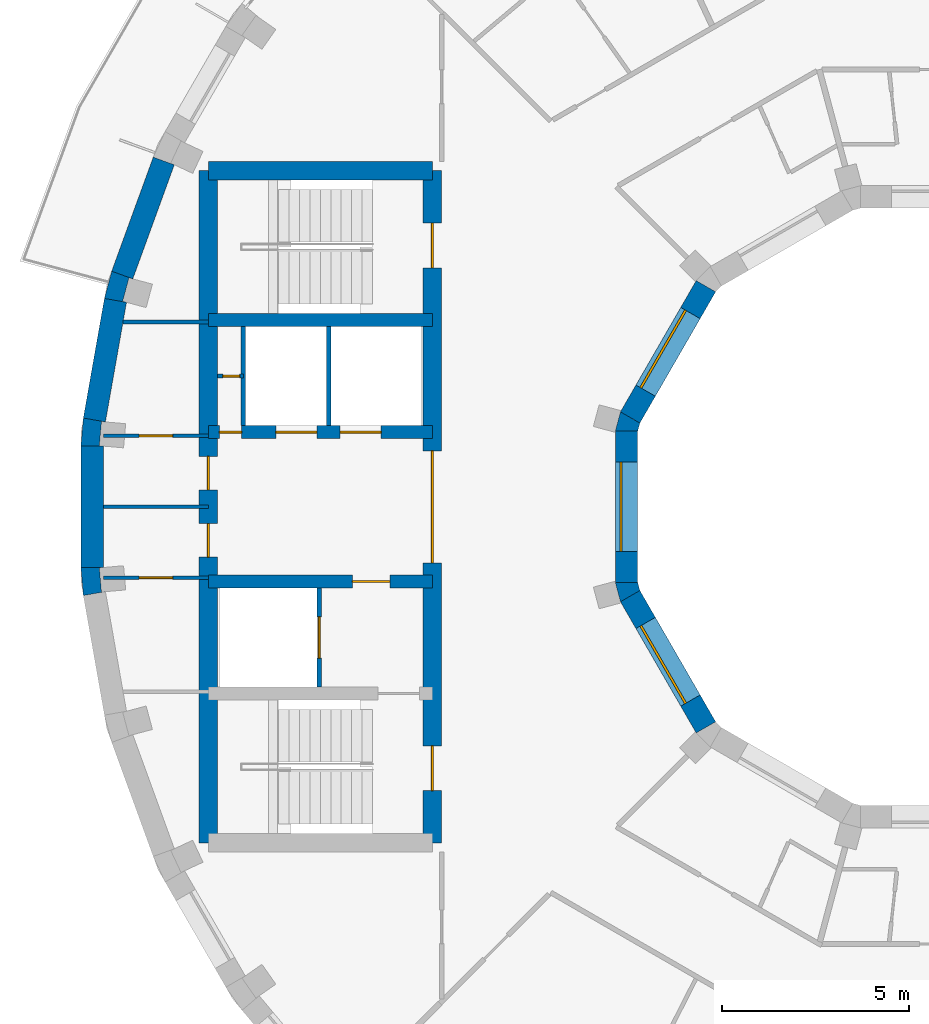
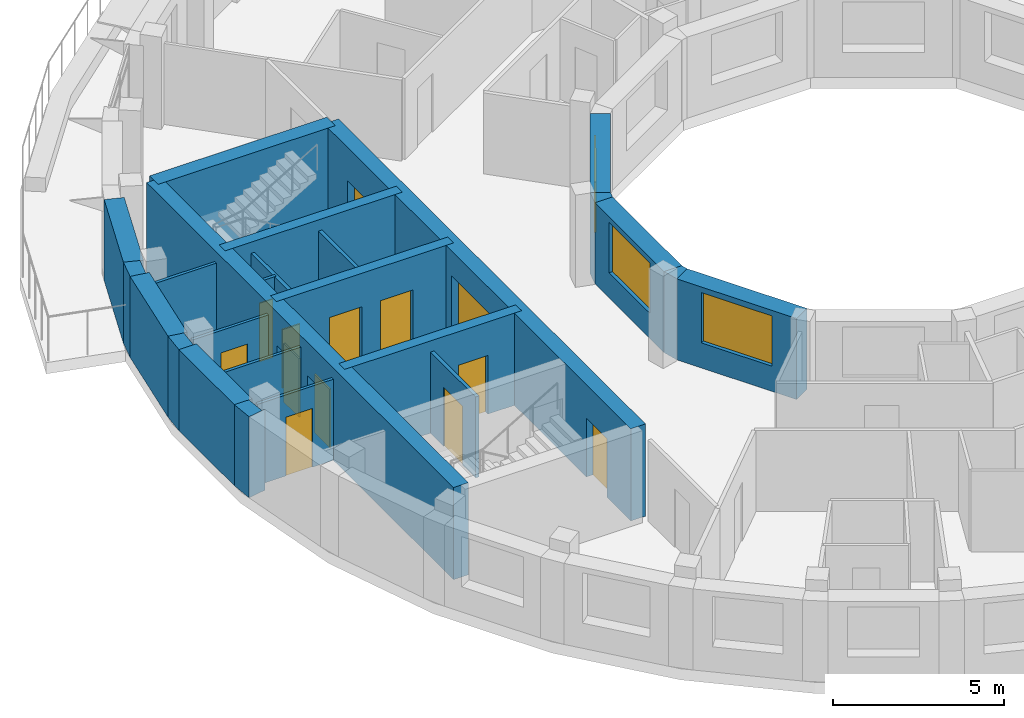
# One storey, part 6 of 12: 25 walls, 13 doors, 3 windows, 16 openings.
"""IFC4 building model written with IfcOpenShell, lengths in metres."""

from ifc_helpers import new_model, si_unit, direction, frame, frame_2d, origin, place, context, subcontext, project, spatial, polyline, rectangle, outline, extrude, material, layer, layer_set, type_object, element, fill, save


model = new_model("IFC4")

# Units and contexts
model_context = context("Model", 3, precision=1e-05, world=origin(), true_north=direction((0.0, 1.0)))
body_context = subcontext(model_context, "Body", "Model", "MODEL_VIEW")
ifc_project = project(units=[si_unit("LENGTHUNIT", "METRE"), si_unit("AREAUNIT", "SQUARE_METRE"), si_unit("VOLUMEUNIT", "CUBIC_METRE"), si_unit("PLANEANGLEUNIT", "RADIAN"), si_unit("MASSUNIT", "GRAM", prefix="KILO")], contexts=[model_context])

# Site, building, storey
site_placement = place(None, origin())
site = spatial("IfcSite", under=ifc_project, at=site_placement, CompositionType="ELEMENT")
building_placement = place(site_placement, origin())
building = spatial("IfcBuilding", under=site, at=building_placement, Name="Saqina Gate Tower", CompositionType="ELEMENT")
storey_placement = place(building_placement, frame((0.0, 0.0, 233.0)))
storey = spatial("IfcBuildingStorey", under=building, at=storey_placement, Name="L66", CompositionType="ELEMENT", Elevation=233.0)

# Walls
ifc_material_1 = material(Name="Brick masonry (buff)", Category="masonry")
wall_type_1 = type_object("IfcWallType", Name="BRICK PIER COPING BUFF", PredefinedType="SOLIDWALL", material=ifc_material_1)
wall_1_placement = place(storey_placement, origin())
element("IfcWall", 1, at=wall_1_placement, inside=storey, type_object=wall_type_1, Name="Pier cap L66 column 17", PredefinedType="SOLIDWALL", context=body_context, shape_type="SweptSolid", body=[
    extrude(outline(polyline([(-22.281982421875, 5.579833984375), (-21.691162109375, 5.4755859375), (-21.793212890625, 5.5029296875), (-21.625, 6.130859375), (-21.52294921875, 6.103515625), (-22.0869140625, 6.30859375), (-22.281982421875, 5.579833984375)])), origin(), (0.0, 0.0, 1.0), 2.89990234375),
])
wall_2_placement = place(storey_placement, origin())
element("IfcWall", 2, at=wall_2_placement, inside=storey, type_object=wall_type_1, Name="Pier cap L66 column 18", PredefinedType="SOLIDWALL", context=body_context, shape_type="SweptSolid", body=[
    extrude(outline(polyline([(-22.8466796875, 2.377685546875), (-22.91259765625, 1.625732421875), (-22.3125, 1.625732421875), (-22.417724609375, 1.635009765625), (-22.361083984375, 2.28271484375), (-22.255859375, 2.2734375), (-22.8466796875, 2.377685546875)])), origin(), (0.0, 0.0, 1.0), 2.89990234375),
])
wall_3_placement = place(storey_placement, origin())
element("IfcWall", 3, at=wall_3_placement, inside=storey, type_object=wall_type_1, Name="Pier cap L66 column 19", PredefinedType="SOLIDWALL", context=body_context, shape_type="SweptSolid", body=[
    extrude(outline(polyline([(-22.91259765625, -1.625732421875), (-22.8466796875, -2.377685546875), (-22.255859375, -2.2734375), (-22.361083984375, -2.28271484375), (-22.417724609375, -1.635009765625), (-22.3125, -1.625732421875), (-22.91259765625, -1.625732421875)])), origin(), (0.0, 0.0, 1.0), 2.89990234375),
])

# Wall, opening, door
ifc_material_2 = material(Name="Gypsum board on steel studs", Category="steel")
ifc_layer_1 = layer(ifc_material_2, 0.10009765625)
ifc_layer_set_1 = layer_set([ifc_layer_1], Name="CORE PARTITION")
wall_type_2 = type_object("IfcWallType", Name="CORE PARTITION", PredefinedType="PARTITIONING", material=ifc_layer_set_1)
wall_4_placement = place(storey_placement, frame((-18.56005859375, 3.5, 0.0), z_axis=(0.0, 0.0, 1.0), x_axis=(-1.0, 0.0, 0.0)))
wall_4 = element("IfcWall", 4, at=wall_4_placement, inside=storey, type_object=wall_type_2, Name="L66-CP-W01", PredefinedType="PARTITIONING", context=body_context, shape_type="SweptSolid", body=[
    extrude(rectangle(XDim=0.68994140625, YDim=0.10009765625, at=frame_2d((0.344970703125, 0.0))), origin(), (0.0, 0.0, 1.0), 2.89990234375),
])
opening_1_placement = place(wall_4_placement, frame((0.10009765625, 0.0, 0.0)))
opening_1 = element("IfcOpeningElement", 5, at=opening_1_placement, cuts=wall_4, Name="Opening G19-D107", PredefinedType="OPENING", context=body_context, shape_type="SweptSolid", body=[
    extrude(rectangle(XDim=0.449951171875, YDim=2.10009765625, at=frame_2d((0.22509765625, 1.050048828125))), frame((0.0, 0.06201171875, 0.0), z_axis=(0.0, -1.0, 0.0), x_axis=(1.0, 0.0, 0.0)), (0.0, 0.0, 1.0), 0.1240234375),
])
ifc_material_3 = material(Name="Steel-framed fire door leaf, EI 60", Category="steel")
door_type_1 = type_object("IfcDoorType", Name="SERVICE ROOM DOOR 450", OperationType="SINGLE_SWING_LEFT", PredefinedType="DOOR", material=ifc_material_3)
door_1_placement = place(opening_1_placement, origin())
door_1 = element("IfcDoor", 6, at=door_1_placement, inside=storey, type_object=door_type_1, Name="L66-CD-W18", OperationType="SINGLE_SWING_RIGHT", OverallHeight=2.10009765625, OverallWidth=0.449951171875, PredefinedType="DOOR", context=body_context, shape_type="SweptSolid", body=[
    extrude(rectangle(XDim=0.449951171875, YDim=2.10009765625, at=frame_2d((0.22509765625, 1.050048828125))), frame((0.0, 0.02490234375, 0.0), z_axis=(0.0, -1.0, 0.0), x_axis=(1.0, 0.0, 0.0)), (0.0, 0.0, 1.0), 0.050048828125),
])
fill(opening_1, door_1)

# Wall
wall_5_placement = place(storey_placement, frame((-19.5, 4.949951171875, 0.0), z_axis=(0.0, 0.0, 1.0), x_axis=(-1.0, 0.0, 0.0)))
element("IfcWall", 7, at=wall_5_placement, inside=storey, type_object=wall_type_2, Name="L66-CP-W02", PredefinedType="PARTITIONING", context=body_context, shape_type="SweptSolid", body=[
    extrude(rectangle(XDim=2.283935546875, YDim=0.10009765625, at=frame_2d((1.14208984375, 0.0))), origin(), (0.0, 0.0, 1.0), 2.89990234375),
])

# Wall, opening, door
wall_6_placement = place(storey_placement, frame((-19.5, 1.89990234375, 0.0), z_axis=(0.0, 0.0, 1.0), x_axis=(-1.0, 0.0, 0.0)))
wall_6 = element("IfcWall", 8, at=wall_6_placement, inside=storey, type_object=wall_type_2, Name="L66-CP-W03", PredefinedType="PARTITIONING", context=body_context, shape_type="SweptSolid", body=[
    extrude(rectangle(XDim=2.8125, YDim=0.10009765625, at=frame_2d((1.40625, 0.0))), origin(), (0.0, 0.0, 1.0), 2.89990234375),
])
opening_2_placement = place(wall_6_placement, frame((0.956298828125, 0.0, 0.0)))
opening_2 = element("IfcOpeningElement", 9, at=opening_2_placement, cuts=wall_6, Name="Opening G19-D103", PredefinedType="OPENING", context=body_context, shape_type="SweptSolid", body=[
    extrude(rectangle(XDim=0.89990234375, YDim=2.10009765625, at=frame_2d((0.449951171875, 1.050048828125))), frame((0.0, 0.06201171875, 0.0), z_axis=(0.0, -1.0, 0.0), x_axis=(1.0, 0.0, 0.0)), (0.0, 0.0, 1.0), 0.1240234375),
])
ifc_material_4 = material(Name="Steel-framed fire door leaf, EI 60", Category="steel")
door_type_2 = type_object("IfcDoorType", Name="SERVICE ROOM DOOR 900", OperationType="SINGLE_SWING_LEFT", PredefinedType="DOOR", material=ifc_material_4)
door_2_placement = place(opening_2_placement, frame((0.89990234375, 0.0, 0.0), z_axis=(0.0, 0.0, 1.0), x_axis=(-1.0, 0.0, 0.0)))
door_2 = element("IfcDoor", 10, at=door_2_placement, inside=storey, type_object=door_type_2, Name="L66-CD-W14", OperationType="SINGLE_SWING_LEFT", OverallHeight=2.10009765625, OverallWidth=0.89990234375, PredefinedType="DOOR", context=body_context, shape_type="SweptSolid", body=[
    extrude(rectangle(XDim=0.89990234375, YDim=2.10009765625, at=frame_2d((0.449951171875, 1.050048828125))), frame((0.0, 0.02490234375, 0.0), z_axis=(0.0, -1.0, 0.0), x_axis=(1.0, 0.0, 0.0)), (0.0, 0.0, 1.0), 0.050048828125),
])
fill(opening_2, door_2)

wall_7_placement = place(storey_placement, frame((-19.5, -1.89990234375, 0.0), z_axis=(0.0, 0.0, 1.0), x_axis=(-1.0, 0.0, 0.0)))
wall_7 = element("IfcWall", 11, at=wall_7_placement, inside=storey, type_object=wall_type_2, Name="L66-CP-W05", PredefinedType="PARTITIONING", context=body_context, shape_type="SweptSolid", body=[
    extrude(rectangle(XDim=2.8125, YDim=0.10009765625, at=frame_2d((1.40625, 0.0))), origin(), (0.0, 0.0, 1.0), 2.89990234375),
])
opening_3_placement = place(wall_7_placement, frame((0.956298828125, 0.0, 0.0)))
opening_3 = element("IfcOpeningElement", 12, at=opening_3_placement, cuts=wall_7, Name="Opening G19-D105", PredefinedType="OPENING", context=body_context, shape_type="SweptSolid", body=[
    extrude(rectangle(XDim=0.89990234375, YDim=2.10009765625, at=frame_2d((0.449951171875, 1.050048828125))), frame((0.0, 0.06201171875, 0.0), z_axis=(0.0, -1.0, 0.0), x_axis=(1.0, 0.0, 0.0)), (0.0, 0.0, 1.0), 0.1240234375),
])
door_3_placement = place(opening_3_placement, origin())
door_3 = element("IfcDoor", 13, at=door_3_placement, inside=storey, type_object=door_type_2, Name="L66-CD-W16", OperationType="SINGLE_SWING_RIGHT", OverallHeight=2.10009765625, OverallWidth=0.89990234375, PredefinedType="DOOR", context=body_context, shape_type="SweptSolid", body=[
    extrude(rectangle(XDim=0.89990234375, YDim=2.10009765625, at=frame_2d((0.449951171875, 1.050048828125))), frame((0.0, 0.02490234375, 0.0), z_axis=(0.0, -1.0, 0.0), x_axis=(1.0, 0.0, 0.0)), (0.0, 0.0, 1.0), 0.050048828125),
])
fill(opening_3, door_3)

# Walls
wall_8_placement = place(storey_placement, frame((-19.5, 0.0, 0.0), z_axis=(0.0, 0.0, 1.0), x_axis=(-1.0, 0.0, 0.0)))
element("IfcWall", 14, at=wall_8_placement, inside=storey, type_object=wall_type_2, Name="L66-CP-W06", PredefinedType="PARTITIONING", context=body_context, shape_type="SweptSolid", body=[
    extrude(rectangle(XDim=2.8125, YDim=0.10009765625, at=frame_2d((1.40625, 0.0))), origin(), (0.0, 0.0, 1.0), 2.89990234375),
])
ifc_material_5 = material(Name="Glazed ceramic tile", Category="ceramic")
ifc_layer_2 = layer(ifc_material_5, 0.60009765625)
ifc_layer_set_2 = layer_set([ifc_layer_2], Name="FW-TILE")
wall_type_3 = type_object("IfcWallType", Name="FW-TILE", PredefinedType="SOLIDWALL", material=ifc_layer_set_2)
wall_9_placement = place(storey_placement, frame((-21.986572265625, 5.52783203125, 0.0), z_axis=(0.0, 0.0, 1.0), x_axis=(-0.173656842178, -0.984806225186, 0.0)))
element("IfcWall", 15, at=wall_9_placement, inside=storey, type_object=wall_type_3, Name="Facade wall L66 facet 17", PredefinedType="SOLIDWALL", context=body_context, shape_type="SweptSolid", body=[
    extrude(rectangle(XDim=3.251708984375, YDim=0.60009765625, at=frame_2d((1.6259765625, 0.0))), origin(), (0.0, 0.0, 1.0), 2.89990234375),
])
ifc_material_6 = material(Name="Glazed ceramic tile (dark blue)", Category="ceramic")
ifc_layer_3 = layer(ifc_material_6, 0.60009765625)
ifc_layer_set_3 = layer_set([ifc_layer_3], Name="FW-TILE-CB")
wall_type_4 = type_object("IfcWallType", Name="FW-TILE-CB", PredefinedType="SOLIDWALL", material=ifc_layer_set_3)
wall_10_placement = place(storey_placement, frame((-20.692626953125, 9.26171875, 0.0), z_axis=(0.0, 0.0, 1.0), x_axis=(-0.342056509473, -0.939679383794, 0.0)))
element("IfcWall", 16, at=wall_10_placement, inside=storey, type_object=wall_type_4, Name="Facade wall L66 facet 16", PredefinedType="SOLIDWALL", context=body_context, shape_type="SweptSolid", body=[
    extrude(rectangle(XDim=3.251708984375, YDim=0.60009765625, at=frame_2d((1.6259765625, 0.0))), origin(), (0.0, 0.0, 1.0), 2.89990234375),
])
ifc_material_7 = material(Name="Glazed ceramic tile (white)", Category="ceramic")
ifc_layer_4 = layer(ifc_material_7, 0.60009765625)
ifc_layer_set_4 = layer_set([ifc_layer_4], Name="FW-TILE-WH")
wall_type_5 = type_object("IfcWallType", Name="FW-TILE-WH", PredefinedType="SOLIDWALL", material=ifc_layer_set_4)
wall_11_placement = place(storey_placement, frame((-22.612548828125, 1.625732421875, 0.0), z_axis=(0.0, 0.0, 1.0), x_axis=(0.0, -1.0, 0.0)))
element("IfcWall", 17, at=wall_11_placement, inside=storey, type_object=wall_type_5, Name="Facade wall L66 facet 18", PredefinedType="SOLIDWALL", context=body_context, shape_type="SweptSolid", body=[
    extrude(rectangle(XDim=3.25146484375, YDim=0.60009765625, at=frame_2d((1.625732421875, 0.0))), origin(), (0.0, 0.0, 1.0), 2.89990234375),
])

# Wall, opening, window
ifc_material_8 = material(Name="Glazed ceramic tile", Category="ceramic")
ifc_layer_5 = layer(ifc_material_8, 0.60009765625)
ifc_layer_set_5 = layer_set([ifc_layer_5], Name="IW-TILE")
wall_type_6 = type_object("IfcWallType", Name="IW-TILE", PredefinedType="SOLIDWALL", material=ifc_layer_set_5)
wall_12_placement = place(storey_placement, frame((-6.17333984375, 5.907470703125, 0.0), z_axis=(0.0, 0.0, 1.0), x_axis=(-0.499994954979, -0.866028316509, 0.0)))
wall_12 = element("IfcWall", 18, at=wall_12_placement, inside=storey, type_object=wall_type_6, Name="Well wall L66 facet 5", PredefinedType="SOLIDWALL", context=body_context, shape_type="SweptSolid", body=[
    extrude(rectangle(XDim=4.05859375, YDim=0.60009765625, at=frame_2d((2.029296875, 0.0))), origin(), (0.0, 0.0, 1.0), 2.89990234375),
])
opening_4_placement = place(wall_12_placement, frame((0.829345703125, 0.0, 0.89990234375)))
opening_4 = element("IfcOpeningElement", 19, at=opening_4_placement, cuts=wall_12, Name="Opening G19-W27", PredefinedType="OPENING", context=body_context, shape_type="SweptSolid", body=[
    extrude(rectangle(XDim=2.39990234375, YDim=1.800048828125, at=frame_2d((1.199951171875, 0.89990234375))), frame((0.0, 0.31201171875, 0.0), z_axis=(0.0, -1.0, 0.0), x_axis=(1.0, 0.0, 0.0)), (0.0, 0.0, 1.0), 0.6240234375),
])
ifc_material_9 = material(Name="Aluminium glazing", Category="aluminium")
window_type = type_object("IfcWindowType", Name="WN-W", PartitioningType="SINGLE_PANEL", PredefinedType="WINDOW", material=ifc_material_9)
window_1_placement = place(opening_4_placement, origin())
window_1 = element("IfcWindow", 20, at=window_1_placement, inside=storey, type_object=window_type, Name="Well window L66 facet 5", OverallHeight=1.800048828125, OverallWidth=2.39990234375, PartitioningType="SINGLE_PANEL", PredefinedType="WINDOW", context=body_context, shape_type="SweptSolid", body=[
    extrude(rectangle(XDim=2.39990234375, YDim=1.800048828125, at=frame_2d((1.199951171875, 0.89990234375))), frame((0.0, -0.119873046875, 0.0), z_axis=(0.0, -1.0, 0.0), x_axis=(1.0, 0.0, 0.0)), (0.0, 0.0, 1.0), 0.06005859375),
])
fill(opening_4, window_1)

wall_13_placement = place(storey_placement, frame((-8.300048828125, 2.029296875, 0.0), z_axis=(0.0, 0.0, 1.0), x_axis=(0.0, -1.0, 0.0)))
wall_13 = element("IfcWall", 21, at=wall_13_placement, inside=storey, type_object=wall_type_6, Name="Well wall L66 facet 6", PredefinedType="SOLIDWALL", context=body_context, shape_type="SweptSolid", body=[
    extrude(rectangle(XDim=4.05859375, YDim=0.60009765625, at=frame_2d((2.029296875, 0.0))), origin(), (0.0, 0.0, 1.0), 2.89990234375),
])
opening_5_placement = place(wall_13_placement, frame((0.829345703125, 0.0, 0.89990234375)))
opening_5 = element("IfcOpeningElement", 22, at=opening_5_placement, cuts=wall_13, Name="Opening G19-W28", PredefinedType="OPENING", context=body_context, shape_type="SweptSolid", body=[
    extrude(rectangle(XDim=2.39990234375, YDim=1.800048828125, at=frame_2d((1.199951171875, 0.89990234375))), frame((0.0, 0.31201171875, 0.0), z_axis=(0.0, -1.0, 0.0), x_axis=(1.0, 0.0, 0.0)), (0.0, 0.0, 1.0), 0.6240234375),
])
window_2_placement = place(opening_5_placement, origin())
window_2 = element("IfcWindow", 23, at=window_2_placement, inside=storey, type_object=window_type, Name="Well window L66 facet 6", OverallHeight=1.800048828125, OverallWidth=2.39990234375, PartitioningType="SINGLE_PANEL", PredefinedType="WINDOW", context=body_context, shape_type="SweptSolid", body=[
    extrude(rectangle(XDim=2.39990234375, YDim=1.800048828125, at=frame_2d((1.199951171875, 0.89990234375))), frame((0.0, -0.119873046875, 0.0), z_axis=(0.0, -1.0, 0.0), x_axis=(1.0, 0.0, 0.0)), (0.0, 0.0, 1.0), 0.06005859375),
])
fill(opening_5, window_2)

wall_14_placement = place(storey_placement, frame((-8.20263671875, -2.392578125, 0.0), z_axis=(0.0, 0.0, 1.0), x_axis=(0.499994954979, -0.866028316509, 0.0)))
wall_14 = element("IfcWall", 24, at=wall_14_placement, inside=storey, type_object=wall_type_6, Name="Well wall L66 facet 7", PredefinedType="SOLIDWALL", context=body_context, shape_type="SweptSolid", body=[
    extrude(rectangle(XDim=4.05859375, YDim=0.60009765625, at=frame_2d((2.029296875, 0.0))), origin(), (0.0, 0.0, 1.0), 2.89990234375),
])
opening_6_placement = place(wall_14_placement, frame((0.829345703125, 0.0, 0.89990234375)))
opening_6 = element("IfcOpeningElement", 25, at=opening_6_placement, cuts=wall_14, Name="Opening G19-W29", PredefinedType="OPENING", context=body_context, shape_type="SweptSolid", body=[
    extrude(rectangle(XDim=2.39990234375, YDim=1.800048828125, at=frame_2d((1.199951171875, 0.89990234375))), frame((0.0, 0.31201171875, 0.0), z_axis=(0.0, -1.0, 0.0), x_axis=(1.0, 0.0, 0.0)), (0.0, 0.0, 1.0), 0.6240234375),
])
window_3_placement = place(opening_6_placement, origin())
window_3 = element("IfcWindow", 26, at=window_3_placement, inside=storey, type_object=window_type, Name="Well window L66 facet 7", OverallHeight=1.800048828125, OverallWidth=2.39990234375, PartitioningType="SINGLE_PANEL", PredefinedType="WINDOW", context=body_context, shape_type="SweptSolid", body=[
    extrude(rectangle(XDim=2.39990234375, YDim=1.800048828125, at=frame_2d((1.199951171875, 0.89990234375))), frame((0.0, -0.119873046875, 0.0), z_axis=(0.0, -1.0, 0.0), x_axis=(1.0, 0.0, 0.0)), (0.0, 0.0, 1.0), 0.06005859375),
])
fill(opening_6, window_3)

# Walls
ifc_material_10 = material(Name="Autoclaved aerated concrete block", Category="concrete")
ifc_layer_6 = layer(ifc_material_10, 0.1201171875)
ifc_layer_set_6 = layer_set([ifc_layer_6], Name="SHAFT PARTITION")
wall_type_7 = type_object("IfcWallType", Name="SHAFT PARTITION", PredefinedType="PARTITIONING", material=ifc_layer_set_6)
for number, where, z_axis, x_axis, name in (
    (27, (-16.280029296875, 2.175048828125, 0.0), (0.0, 0.0, 1.0), (0.0, 1.0, 0.0), "L66-CP-W07"),
    (28, (-18.56005859375, 2.175048828125, 0.0), (0.0, 0.0, 1.0), (0.0, 1.0, 0.0), "L66-CP-W08"),
):
    element("IfcWall", number, at=place(storey_placement, frame(where, z_axis=z_axis, x_axis=x_axis)), inside=storey, type_object=wall_type_7, Name=name, PredefinedType="PARTITIONING", context=body_context, shape_type="SweptSolid", body=[
        extrude(rectangle(XDim=2.64990234375, YDim=0.1201171875, at=frame_2d((1.324951171875, 0.0))), origin(), (0.0, 0.0, 1.0), 2.89990234375),
    ])

# Wall, opening, door
wall_15_placement = place(storey_placement, frame((-16.530029296875, -4.824951171875, 0.0), z_axis=(0.0, 0.0, 1.0), x_axis=(0.0, 1.0, 0.0)))
wall_15 = element("IfcWall", 29, at=wall_15_placement, inside=storey, type_object=wall_type_7, Name="L66-CP-W09", PredefinedType="PARTITIONING", context=body_context, shape_type="SweptSolid", body=[
    extrude(rectangle(XDim=2.64990234375, YDim=0.1201171875, at=frame_2d((1.324951171875, 0.0))), origin(), (0.0, 0.0, 1.0), 2.89990234375),
])
opening_7_placement = place(wall_15_placement, frame((0.77490234375, 0.0, 0.0)))
opening_7 = element("IfcOpeningElement", 30, at=opening_7_placement, cuts=wall_15, Name="Opening G19-LD6", PredefinedType="OPENING", context=body_context, shape_type="SweptSolid", body=[
    extrude(rectangle(XDim=1.10009765625, YDim=2.10009765625, at=frame_2d((0.550048828125, 1.050048828125))), frame((0.0, 0.072021484375, 0.0), z_axis=(0.0, -1.0, 0.0), x_axis=(1.0, 0.0, 0.0)), (0.0, 0.0, 1.0), 0.14404296875),
])
ifc_material_11 = material(Name="Stainless steel", Category="steel")
door_type_3 = type_object("IfcDoorType", Name="LANDING DOOR", OperationType="DOUBLE_DOOR_SLIDING", PredefinedType="DOOR", material=ifc_material_11)
door_4_placement = place(opening_7_placement, origin())
door_4 = element("IfcDoor", 31, at=door_4_placement, inside=storey, type_object=door_type_3, Name="LANDING DOOR FF2", OperationType="DOUBLE_DOOR_SLIDING", OverallHeight=2.10009765625, OverallWidth=1.10009765625, PredefinedType="DOOR", context=body_context, shape_type="SweptSolid", body=[
    extrude(rectangle(XDim=1.10009765625, YDim=2.10009765625, at=frame_2d((0.550048828125, 1.050048828125))), frame((0.0, 0.02490234375, 0.0), z_axis=(0.0, -1.0, 0.0), x_axis=(1.0, 0.0, 0.0)), (0.0, 0.0, 1.0), 0.050048828125),
])
fill(opening_7, door_4)

# Wall
ifc_material_12 = material(Name="Concrete C60/75", Category="concrete")
ifc_layer_7 = layer(ifc_material_12, 0.35009765625)
ifc_layer_set_7 = layer_set([ifc_layer_7], Name="Concrete C60/75")
wall_type_8 = type_object("IfcWallType", Name="STR-CORE WALL-D-I", PredefinedType="SHEAR", material=ifc_layer_set_7)
wall_16_placement = place(storey_placement, frame((-13.5, 5.0, 0.0), z_axis=(0.0, 0.0, 1.0), x_axis=(-1.0, 0.0, 0.0)))
element("IfcWall", 32, at=wall_16_placement, inside=storey, type_object=wall_type_8, Name="CORE WALL L66 W-X1", PredefinedType="SHEAR", context=body_context, shape_type="SweptSolid", body=[
    extrude(rectangle(XDim=6.0, YDim=0.35009765625, at=frame_2d((3.0, 0.0))), origin(), (0.0, 0.0, 1.0), 3.300048828125),
])

# Wall, openings, doors
wall_17_placement = place(storey_placement, frame((-13.5, 2.0, 0.0), z_axis=(0.0, 0.0, 1.0), x_axis=(-1.0, 0.0, 0.0)))
wall_17 = element("IfcWall", 33, at=wall_17_placement, inside=storey, type_object=wall_type_8, Name="CORE WALL L66 W-L1", PredefinedType="SHEAR", context=body_context, shape_type="SweptSolid", body=[
    extrude(rectangle(XDim=6.0, YDim=0.35009765625, at=frame_2d((3.0, 0.0))), origin(), (0.0, 0.0, 1.0), 3.300048828125),
])
opening_8_placement = place(wall_17_placement, frame((1.3701171875, 0.0, 0.0)))
opening_8 = element("IfcOpeningElement", 34, at=opening_8_placement, cuts=wall_17, Name="Opening G19-LD4", PredefinedType="OPENING", context=body_context, shape_type="SweptSolid", body=[
    extrude(rectangle(XDim=1.10009765625, YDim=2.10009765625, at=frame_2d((0.550048828125, 1.050048828125))), frame((0.0, 0.18701171875, 0.0), z_axis=(0.0, -1.0, 0.0), x_axis=(1.0, 0.0, 0.0)), (0.0, 0.0, 1.0), 0.3740234375),
])
opening_9_placement = place(wall_17_placement, frame((3.090087890625, 0.0, 0.0)))
opening_9 = element("IfcOpeningElement", 35, at=opening_9_placement, cuts=wall_17, Name="Opening G19-LD5", PredefinedType="OPENING", context=body_context, shape_type="SweptSolid", body=[
    extrude(rectangle(XDim=1.10009765625, YDim=2.10009765625, at=frame_2d((0.550048828125, 1.050048828125))), frame((0.0, 0.18701171875, 0.0), z_axis=(0.0, -1.0, 0.0), x_axis=(1.0, 0.0, 0.0)), (0.0, 0.0, 1.0), 0.3740234375),
])
opening_10_placement = place(wall_17_placement, frame((5.10498046875, 0.0, 0.0)))
opening_10 = element("IfcOpeningElement", 36, at=opening_10_placement, cuts=wall_17, Name="Opening G19-D101", PredefinedType="OPENING", context=body_context, shape_type="SweptSolid", body=[
    extrude(rectangle(XDim=0.60009765625, YDim=2.10009765625, at=frame_2d((0.300048828125, 1.050048828125))), frame((0.0, 0.18701171875, 0.0), z_axis=(0.0, -1.0, 0.0), x_axis=(1.0, 0.0, 0.0)), (0.0, 0.0, 1.0), 0.3740234375),
])
door_5_placement = place(opening_8_placement, origin())
door_5 = element("IfcDoor", 37, at=door_5_placement, inside=storey, type_object=door_type_3, Name="LANDING DOOR HR3", OperationType="DOUBLE_DOOR_SLIDING", OverallHeight=2.10009765625, OverallWidth=1.10009765625, PredefinedType="DOOR", context=body_context, shape_type="SweptSolid", body=[
    extrude(rectangle(XDim=1.10009765625, YDim=2.10009765625, at=frame_2d((0.550048828125, 1.050048828125))), frame((0.0, 0.02490234375, 0.0), z_axis=(0.0, -1.0, 0.0), x_axis=(1.0, 0.0, 0.0)), (0.0, 0.0, 1.0), 0.050048828125),
])
fill(opening_8, door_5)
door_6_placement = place(opening_9_placement, origin())
door_6 = element("IfcDoor", 38, at=door_6_placement, inside=storey, type_object=door_type_3, Name="LANDING DOOR HR4", OperationType="DOUBLE_DOOR_SLIDING", OverallHeight=2.10009765625, OverallWidth=1.10009765625, PredefinedType="DOOR", context=body_context, shape_type="SweptSolid", body=[
    extrude(rectangle(XDim=1.10009765625, YDim=2.10009765625, at=frame_2d((0.550048828125, 1.050048828125))), frame((0.0, 0.02490234375, 0.0), z_axis=(0.0, -1.0, 0.0), x_axis=(1.0, 0.0, 0.0)), (0.0, 0.0, 1.0), 0.050048828125),
])
fill(opening_9, door_6)
ifc_material_13 = material(Name="Steel-framed fire door leaf, EI 60", Category="steel")
door_type_4 = type_object("IfcDoorType", Name="SERVICE ROOM DOOR 600", OperationType="SINGLE_SWING_LEFT", PredefinedType="DOOR", material=ifc_material_13)
door_7_placement = place(opening_10_placement, frame((0.60009765625, 0.0, 0.0), z_axis=(0.0, 0.0, 1.0), x_axis=(-1.0, 0.0, 0.0)))
door_7 = element("IfcDoor", 39, at=door_7_placement, inside=storey, type_object=door_type_4, Name="L66-CD-W12", OperationType="SINGLE_SWING_LEFT", OverallHeight=2.10009765625, OverallWidth=0.60009765625, PredefinedType="DOOR", context=body_context, shape_type="SweptSolid", body=[
    extrude(rectangle(XDim=0.60009765625, YDim=2.10009765625, at=frame_2d((0.300048828125, 1.050048828125))), frame((0.0, 0.02490234375, 0.0), z_axis=(0.0, -1.0, 0.0), x_axis=(1.0, 0.0, 0.0)), (0.0, 0.0, 1.0), 0.050048828125),
])
fill(opening_10, door_7)

# Wall, opening, door
wall_18_placement = place(storey_placement, frame((-13.5, -2.0, 0.0), z_axis=(0.0, 0.0, 1.0), x_axis=(-1.0, 0.0, 0.0)))
wall_18 = element("IfcWall", 40, at=wall_18_placement, inside=storey, type_object=wall_type_8, Name="CORE WALL L66 W-L2", PredefinedType="SHEAR", context=body_context, shape_type="SweptSolid", body=[
    extrude(rectangle(XDim=6.0, YDim=0.35009765625, at=frame_2d((3.0, 0.0))), origin(), (0.0, 0.0, 1.0), 3.300048828125),
])
opening_11_placement = place(wall_18_placement, frame((1.139892578125, 0.0, 0.0)))
opening_11 = element("IfcOpeningElement", 41, at=opening_11_placement, cuts=wall_18, Name="Opening G19-D102", PredefinedType="OPENING", context=body_context, shape_type="SweptSolid", body=[
    extrude(rectangle(XDim=1.0, YDim=2.10009765625, at=frame_2d((0.5, 1.050048828125))), frame((0.0, 0.18701171875, 0.0), z_axis=(0.0, -1.0, 0.0), x_axis=(1.0, 0.0, 0.0)), (0.0, 0.0, 1.0), 0.3740234375),
])
ifc_material_14 = material(Name="Steel", Category="steel")
door_type_5 = type_object("IfcDoorType", Name="FIRE LOBBY DOOR EI 60", OperationType="SINGLE_SWING_LEFT", PredefinedType="DOOR", material=ifc_material_14)
door_8_placement = place(opening_11_placement, frame((1.0, 0.0, 0.0), z_axis=(0.0, 0.0, 1.0), x_axis=(-1.0, 0.0, 0.0)))
door_8 = element("IfcDoor", 42, at=door_8_placement, inside=storey, type_object=door_type_5, Name="L66-CD-W13", OperationType="SINGLE_SWING_RIGHT", OverallHeight=2.10009765625, OverallWidth=1.0, PredefinedType="DOOR", context=body_context, shape_type="SweptSolid", body=[
    extrude(rectangle(XDim=1.0, YDim=2.10009765625, at=frame_2d((0.5, 1.050048828125))), frame((0.0, 0.02490234375, 0.0), z_axis=(0.0, -1.0, 0.0), x_axis=(1.0, 0.0, 0.0)), (0.0, 0.0, 1.0), 0.050048828125),
])
fill(opening_11, door_8)

# Wall, openings, doors
ifc_material_15 = material(Name="Concrete C60/75", Category="concrete")
ifc_layer_8 = layer(ifc_material_15, 0.5)
ifc_layer_set_8 = layer_set([ifc_layer_8], Name="Concrete C60/75")
wall_type_9 = type_object("IfcWallType", Name="STR-CORE WALL-D-O", PredefinedType="SHEAR", material=ifc_layer_set_8)
wall_19_placement = place(storey_placement, frame((-13.5, -9.0, 0.0), z_axis=(0.0, 0.0, 1.0), x_axis=(0.0, 1.0, 0.0)))
wall_19 = element("IfcWall", 43, at=wall_19_placement, inside=storey, type_object=wall_type_9, Name="CORE WALL L66 W-W1", PredefinedType="SHEAR", context=body_context, shape_type="SweptSolid", body=[
    extrude(rectangle(XDim=18.0, YDim=0.5, at=frame_2d((9.0, 0.0))), origin(), (0.0, 0.0, 1.0), 3.300048828125),
])
opening_12_placement = place(wall_19_placement, frame((15.39990234375, 0.0, 0.0)))
opening_12 = element("IfcOpeningElement", 44, at=opening_12_placement, cuts=wall_19, Name="Opening G19-D109", PredefinedType="OPENING", context=body_context, shape_type="SweptSolid", body=[
    extrude(rectangle(XDim=1.199951171875, YDim=2.10009765625, at=frame_2d((0.60009765625, 1.050048828125))), frame((0.0, 0.261962890625, 0.0), z_axis=(0.0, -1.0, 0.0), x_axis=(1.0, 0.0, 0.0)), (0.0, 0.0, 1.0), 0.52392578125),
])
opening_13_placement = place(wall_19_placement, frame((1.39990234375, 0.0, 0.0)))
opening_13 = element("IfcOpeningElement", 45, at=opening_13_placement, cuts=wall_19, Name="Opening G19-D110", PredefinedType="OPENING", context=body_context, shape_type="SweptSolid", body=[
    extrude(rectangle(XDim=1.199951171875, YDim=2.10009765625, at=frame_2d((0.60009765625, 1.050048828125))), frame((0.0, 0.261962890625, 0.0), z_axis=(0.0, -1.0, 0.0), x_axis=(1.0, 0.0, 0.0)), (0.0, 0.0, 1.0), 0.52392578125),
])
opening_14_placement = place(wall_19_placement, frame((7.5, 0.0, 0.0)))
opening_14 = element("IfcOpeningElement", 46, at=opening_14_placement, cuts=wall_19, Name="Opening G19-D111", PredefinedType="OPENING", context=body_context, shape_type="SweptSolid", body=[
    extrude(rectangle(XDim=3.0, YDim=2.39990234375, at=frame_2d((1.5, 1.199951171875))), frame((0.0, 0.261962890625, 0.0), z_axis=(0.0, -1.0, 0.0), x_axis=(1.0, 0.0, 0.0)), (0.0, 0.0, 1.0), 0.52392578125),
])
ifc_material_16 = material(Name="Steel", Category="steel")
door_type_6 = type_object("IfcDoorType", Name="FIRE DOOR EI 60", OperationType="SINGLE_SWING_LEFT", PredefinedType="DOOR", material=ifc_material_16)
door_9_placement = place(opening_12_placement, origin())
door_9 = element("IfcDoor", 47, at=door_9_placement, inside=storey, type_object=door_type_6, Name="L66-CD-W20", OperationType="SINGLE_SWING_RIGHT", OverallHeight=2.10009765625, OverallWidth=1.199951171875, PredefinedType="DOOR", context=body_context, shape_type="SweptSolid", body=[
    extrude(rectangle(XDim=1.199951171875, YDim=2.10009765625, at=frame_2d((0.60009765625, 1.050048828125))), frame((0.0, 0.02490234375, 0.0), z_axis=(0.0, -1.0, 0.0), x_axis=(1.0, 0.0, 0.0)), (0.0, 0.0, 1.0), 0.050048828125),
])
fill(opening_12, door_9)
door_10_placement = place(opening_13_placement, origin())
door_10 = element("IfcDoor", 48, at=door_10_placement, inside=storey, type_object=door_type_6, Name="L66-CD-W21", OperationType="SINGLE_SWING_LEFT", OverallHeight=2.10009765625, OverallWidth=1.199951171875, PredefinedType="DOOR", context=body_context, shape_type="SweptSolid", body=[
    extrude(rectangle(XDim=1.199951171875, YDim=2.10009765625, at=frame_2d((0.60009765625, 1.050048828125))), frame((0.0, 0.02490234375, 0.0), z_axis=(0.0, -1.0, 0.0), x_axis=(1.0, 0.0, 0.0)), (0.0, 0.0, 1.0), 0.050048828125),
])
fill(opening_13, door_10)
ifc_material_17 = material(Name="Steel and fire-resisting glass", Category="steel")
door_type_7 = type_object("IfcDoorType", Name="LOBBY SCREEN DOOR", OperationType="DOUBLE_DOOR_SLIDING", PredefinedType="DOOR", material=ifc_material_17)
door_11_placement = place(opening_14_placement, origin())
door_11 = element("IfcDoor", 49, at=door_11_placement, inside=storey, type_object=door_type_7, Name="L66-CD-W22", OperationType="DOUBLE_DOOR_SLIDING", OverallHeight=2.39990234375, OverallWidth=3.0, PredefinedType="DOOR", context=body_context, shape_type="SweptSolid", body=[
    extrude(rectangle(XDim=3.0, YDim=2.39990234375, at=frame_2d((1.5, 1.199951171875))), frame((0.0, 0.02490234375, 0.0), z_axis=(0.0, -1.0, 0.0), x_axis=(1.0, 0.0, 0.0)), (0.0, 0.0, 1.0), 0.050048828125),
])
fill(opening_14, door_11)

wall_20_placement = place(storey_placement, frame((-19.5, -9.0, 0.0), z_axis=(0.0, 0.0, 1.0), x_axis=(0.0, 1.0, 0.0)))
wall_20 = element("IfcWall", 50, at=wall_20_placement, inside=storey, type_object=wall_type_9, Name="CORE WALL L66 W-W2", PredefinedType="SHEAR", context=body_context, shape_type="SweptSolid", body=[
    extrude(rectangle(XDim=18.0, YDim=0.5, at=frame_2d((9.0, 0.0))), origin(), (0.0, 0.0, 1.0), 3.300048828125),
])
opening_15_placement = place(wall_20_placement, frame((9.449951171875, 0.0, 0.0)))
opening_15 = element("IfcOpeningElement", 51, at=opening_15_placement, cuts=wall_20, Name="Opening G19-D104", PredefinedType="OPENING", context=body_context, shape_type="SweptSolid", body=[
    extrude(rectangle(XDim=0.89990234375, YDim=2.10009765625, at=frame_2d((0.449951171875, 1.050048828125))), frame((0.0, 0.261962890625, 0.0), z_axis=(0.0, -1.0, 0.0), x_axis=(1.0, 0.0, 0.0)), (0.0, 0.0, 1.0), 0.52392578125),
])
opening_16_placement = place(wall_20_placement, frame((7.64990234375, 0.0, 0.0)))
opening_16 = element("IfcOpeningElement", 52, at=opening_16_placement, cuts=wall_20, Name="Opening G19-D106", PredefinedType="OPENING", context=body_context, shape_type="SweptSolid", body=[
    extrude(rectangle(XDim=0.89990234375, YDim=2.10009765625, at=frame_2d((0.449951171875, 1.050048828125))), frame((0.0, 0.261962890625, 0.0), z_axis=(0.0, -1.0, 0.0), x_axis=(1.0, 0.0, 0.0)), (0.0, 0.0, 1.0), 0.52392578125),
])
door_12_placement = place(opening_15_placement, origin())
door_12 = element("IfcDoor", 53, at=door_12_placement, inside=storey, type_object=door_type_2, Name="L66-CD-W15", OperationType="SINGLE_SWING_RIGHT", OverallHeight=2.10009765625, OverallWidth=0.89990234375, PredefinedType="DOOR", context=body_context, shape_type="SweptSolid", body=[
    extrude(rectangle(XDim=0.89990234375, YDim=2.10009765625, at=frame_2d((0.449951171875, 1.050048828125))), frame((0.0, 0.02490234375, 0.0), z_axis=(0.0, -1.0, 0.0), x_axis=(1.0, 0.0, 0.0)), (0.0, 0.0, 1.0), 0.050048828125),
])
fill(opening_15, door_12)
door_13_placement = place(opening_16_placement, origin())
door_13 = element("IfcDoor", 54, at=door_13_placement, inside=storey, type_object=door_type_2, Name="L66-CD-W17", OperationType="SINGLE_SWING_LEFT", OverallHeight=2.10009765625, OverallWidth=0.89990234375, PredefinedType="DOOR", context=body_context, shape_type="SweptSolid", body=[
    extrude(rectangle(XDim=0.89990234375, YDim=2.10009765625, at=frame_2d((0.449951171875, 1.050048828125))), frame((0.0, 0.02490234375, 0.0), z_axis=(0.0, -1.0, 0.0), x_axis=(1.0, 0.0, 0.0)), (0.0, 0.0, 1.0), 0.050048828125),
])
fill(opening_16, door_13)

# Walls
wall_21_placement = place(storey_placement, frame((-13.5, 9.0, 0.0), z_axis=(0.0, 0.0, 1.0), x_axis=(-1.0, 0.0, 0.0)))
element("IfcWall", 55, at=wall_21_placement, inside=storey, type_object=wall_type_9, Name="CORE WALL L66 W-NE", PredefinedType="SHEAR", context=body_context, shape_type="SweptSolid", body=[
    extrude(rectangle(XDim=6.0, YDim=0.5, at=frame_2d((3.0, 0.0))), origin(), (0.0, 0.0, 1.0), 3.300048828125),
])
ifc_material_18 = material(Name="Glazed ceramic tile", Category="ceramic")
wall_type_10 = type_object("IfcWallType", Name="TILE PIER COPING", PredefinedType="SOLIDWALL", material=ifc_material_18)
wall_22_placement = place(storey_placement, origin())
element("IfcWall", 56, at=wall_22_placement, inside=storey, type_object=wall_type_10, Name="Well pier cap L66 column 6", PredefinedType="SOLIDWALL", context=body_context, shape_type="SweptSolid", body=[
    extrude(outline(polyline([(-8.60009765625, 2.029296875), (-8.0, 2.029296875), (-7.94287109375, 2.242431640625), (-8.46240234375, 2.54248046875), (-8.60009765625, 2.029296875)])), origin(), (0.0, 0.0, 1.0), 2.89990234375),
])
wall_23_placement = place(storey_placement, origin())
element("IfcWall", 57, at=wall_23_placement, inside=storey, type_object=wall_type_10, Name="Well pier cap L66 column 7", PredefinedType="SOLIDWALL", context=body_context, shape_type="SweptSolid", body=[
    extrude(outline(polyline([(-8.46240234375, -2.54248046875), (-7.94287109375, -2.242431640625), (-8.0, -2.029296875), (-8.60009765625, -2.029296875), (-8.46240234375, -2.54248046875)])), origin(), (0.0, 0.0, 1.0), 2.89990234375),
])

save(model, "model.ifc")
